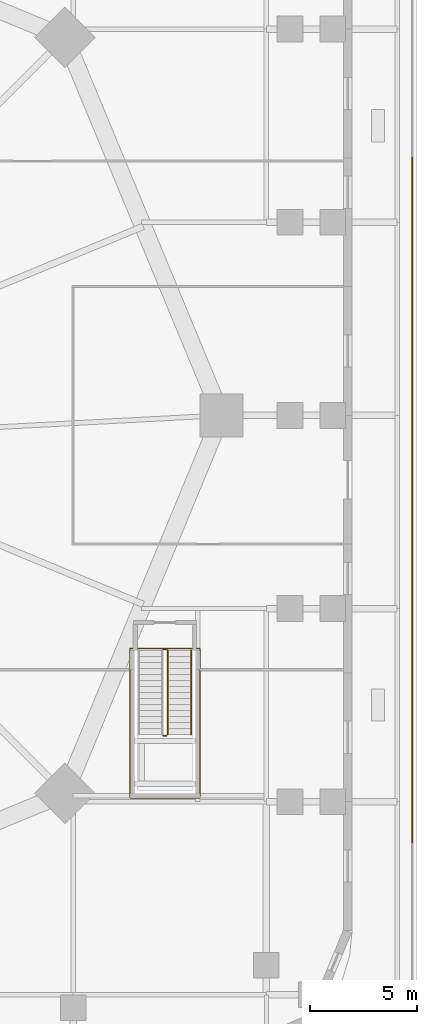
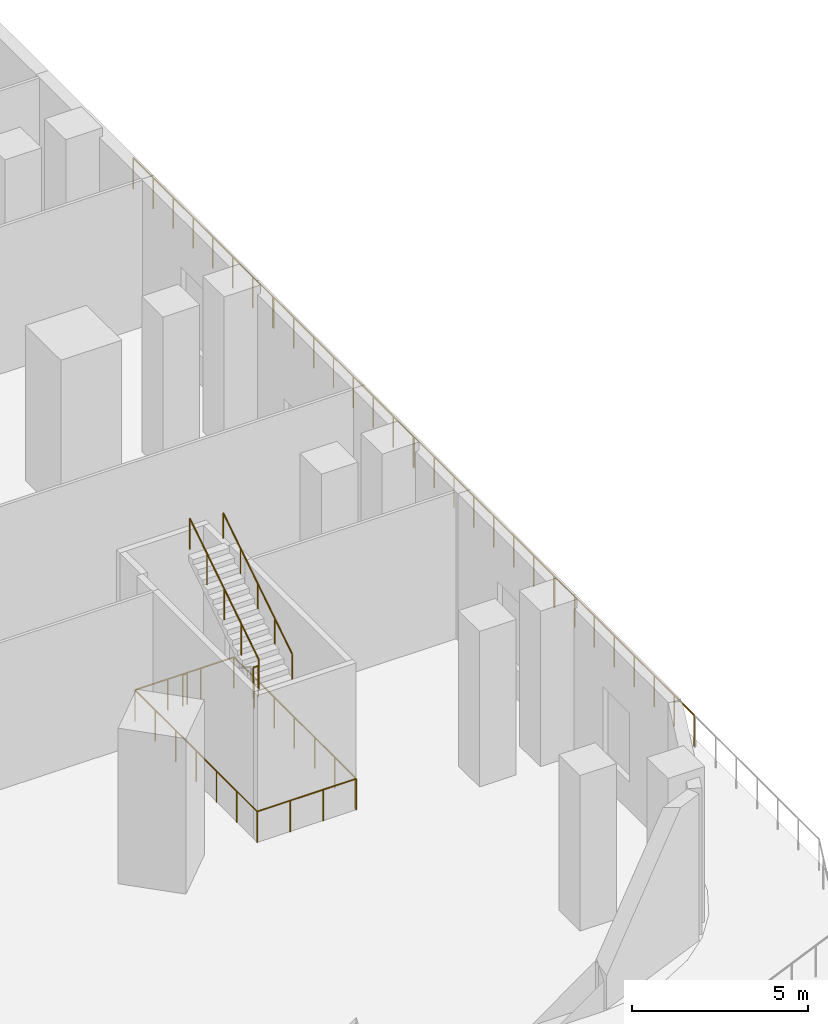
# One storey, part 17 of 19: 9 railings.
"""IFC4 building model written with IfcOpenShell, lengths in metres."""

from ifc_helpers import new_model, si_unit, direction, frame, origin, origin_2d, place, context, subcontext, project, spatial, circle, extrude, material, type_object, element, save


model = new_model("IFC4")

# Units and contexts
model_context = context("Model", 3, precision=1e-05, world=origin(), true_north=direction((0.0, 1.0)))
body_context = subcontext(model_context, "Body", "Model", "MODEL_VIEW")
ifc_project = project(units=[si_unit("LENGTHUNIT", "METRE"), si_unit("AREAUNIT", "SQUARE_METRE"), si_unit("VOLUMEUNIT", "CUBIC_METRE"), si_unit("PLANEANGLEUNIT", "RADIAN"), si_unit("MASSUNIT", "GRAM", prefix="KILO")], contexts=[model_context])

# Site, building, storey
site_placement = place(None, origin())
site = spatial("IfcSite", under=ifc_project, at=site_placement, CompositionType="ELEMENT")
building_placement = place(site_placement, origin())
building = spatial("IfcBuilding", under=site, at=building_placement, Name="Ogive Gate Towers", CompositionType="ELEMENT")
storey_placement = place(building_placement, frame((0.0, 0.0, 12.60009765625)))
storey = spatial("IfcBuildingStorey", under=building, at=storey_placement, Name="L02", CompositionType="ELEMENT", Elevation=12.60009765625)

# Railings
ifc_material_1 = material(Name="Stainless steel", Category="steel")
railing_type_1 = type_object("IfcRailingType", Name="Guard 1100", PredefinedType="GUARDRAIL", material=ifc_material_1)
for number, where, name in (
    (1, (69.800048828125, -19.897705078125, 0.0), "Terrace guard"),
    (2, (69.800048828125, -11.907470703125, 0.0), "Terrace guard"),
):
    element("IfcRailing", number, at=place(storey_placement, frame(where)), inside=storey, type_object=railing_type_1, Name=name, PredefinedType="GUARDRAIL", context=body_context, shape_type="SweptSolid", body=[
        extrude(circle(Radius=0.02392578125, at=origin_2d()), frame((0.0, 0.0, 1.076171875), z_axis=(0.0, 1.0, 0.0), x_axis=(-1.0, 0.0, 0.0)), (0.0, 0.0, 1.0), 7.940185546875),
        extrude(circle(Radius=0.02099609375, at=origin_2d()), origin(), (0.0, 0.0, 1.0), 1.052001953125),
        extrude(circle(Radius=0.02099609375, at=origin_2d()), frame((0.0, 1.13427734375, 0.0)), (0.0, 0.0, 1.0), 1.052001953125),
        extrude(circle(Radius=0.02099609375, at=origin_2d()), frame((0.0, 2.2685546875, 0.0)), (0.0, 0.0, 1.0), 1.052001953125),
        extrude(circle(Radius=0.02099609375, at=origin_2d()), frame((0.0, 3.40283203125, 0.0)), (0.0, 0.0, 1.0), 1.052001953125),
        extrude(circle(Radius=0.02099609375, at=origin_2d()), frame((0.0, 4.537353515625, 0.0)), (0.0, 0.0, 1.0), 1.052001953125),
        extrude(circle(Radius=0.02099609375, at=origin_2d()), frame((0.0, 5.671630859375, 0.0)), (0.0, 0.0, 1.0), 1.052001953125),
        extrude(circle(Radius=0.02099609375, at=origin_2d()), frame((0.0, 6.805908203125, 0.0)), (0.0, 0.0, 1.0), 1.052001953125),
        extrude(circle(Radius=0.02099609375, at=origin_2d()), frame((0.0, 7.940185546875, 0.0)), (0.0, 0.0, 1.0), 1.052001953125),
    ])
railing_1_placement = place(storey_placement, frame((69.800048828125, -3.917236328125, 0.0)))
element("IfcRailing", 3, at=railing_1_placement, inside=storey, type_object=railing_type_1, Name="Terrace guard", PredefinedType="GUARDRAIL", context=body_context, shape_type="SweptSolid", body=[
    extrude(circle(Radius=0.02392578125, at=origin_2d()), frame((0.0, 0.0, 1.076171875), z_axis=(0.0, 1.0, 0.0), x_axis=(-1.0, 0.0, 0.0)), (0.0, 0.0, 1.0), 7.9404296875),
    extrude(circle(Radius=0.02099609375, at=origin_2d()), origin(), (0.0, 0.0, 1.0), 1.052001953125),
    extrude(circle(Radius=0.02099609375, at=origin_2d()), frame((0.0, 1.13427734375, 0.0)), (0.0, 0.0, 1.0), 1.052001953125),
    extrude(circle(Radius=0.02099609375, at=origin_2d()), frame((0.0, 2.268798828125, 0.0)), (0.0, 0.0, 1.0), 1.052001953125),
    extrude(circle(Radius=0.02099609375, at=origin_2d()), frame((0.0, 3.403076171875, 0.0)), (0.0, 0.0, 1.0), 1.052001953125),
    extrude(circle(Radius=0.02099609375, at=origin_2d()), frame((0.0, 4.537353515625, 0.0)), (0.0, 0.0, 1.0), 1.052001953125),
    extrude(circle(Radius=0.02099609375, at=origin_2d()), frame((0.0, 5.671630859375, 0.0)), (0.0, 0.0, 1.0), 1.052001953125),
    extrude(circle(Radius=0.02099609375, at=origin_2d()), frame((0.0, 6.80615234375, 0.0)), (0.0, 0.0, 1.0), 1.052001953125),
    extrude(circle(Radius=0.02099609375, at=origin_2d()), frame((0.0, 7.9404296875, 0.0)), (0.0, 0.0, 1.0), 1.052001953125),
])
railing_2_placement = place(storey_placement, frame((69.800048828125, 4.072998046875, 0.0)))
element("IfcRailing", 4, at=railing_2_placement, inside=storey, type_object=railing_type_1, Name="Terrace guard", PredefinedType="GUARDRAIL", context=body_context, shape_type="SweptSolid", body=[
    extrude(circle(Radius=0.02392578125, at=origin_2d()), frame((0.0, 0.0, 1.076171875), z_axis=(0.0, 1.0, 0.0), x_axis=(-1.0, 0.0, 0.0)), (0.0, 0.0, 1.0), 7.940185546875),
    extrude(circle(Radius=0.02099609375, at=origin_2d()), origin(), (0.0, 0.0, 1.0), 1.052001953125),
    extrude(circle(Radius=0.02099609375, at=origin_2d()), frame((0.0, 1.13427734375, 0.0)), (0.0, 0.0, 1.0), 1.052001953125),
    extrude(circle(Radius=0.02099609375, at=origin_2d()), frame((0.0, 2.2685546875, 0.0)), (0.0, 0.0, 1.0), 1.052001953125),
    extrude(circle(Radius=0.02099609375, at=origin_2d()), frame((0.0, 3.40283203125, 0.0)), (0.0, 0.0, 1.0), 1.052001953125),
    extrude(circle(Radius=0.02099609375, at=origin_2d()), frame((0.0, 4.537353515625, 0.0)), (0.0, 0.0, 1.0), 1.052001953125),
    extrude(circle(Radius=0.02099609375, at=origin_2d()), frame((0.0, 5.671630859375, 0.0)), (0.0, 0.0, 1.0), 1.052001953125),
    extrude(circle(Radius=0.02099609375, at=origin_2d()), frame((0.0, 6.805908203125, 0.0)), (0.0, 0.0, 1.0), 1.052001953125),
    extrude(circle(Radius=0.02099609375, at=origin_2d()), frame((0.0, 7.940185546875, 0.0)), (0.0, 0.0, 1.0), 1.052001953125),
])
ifc_material_2 = material(Name="Steel and glass guard", Category="steel")
railing_type_2 = type_object("IfcRailingType", Name="Podium stair guard 1100", PredefinedType="GUARDRAIL", material=ifc_material_2)
railing_3_placement = place(storey_placement, frame((58.199951171875, -14.919921875, 2.699951171875)))
element("IfcRailing", 5, at=railing_3_placement, inside=storey, type_object=railing_type_2, Name="L02 PS2 stair guard 2", PredefinedType="GUARDRAIL", context=body_context, shape_type="SweptSolid", body=[
    extrude(circle(Radius=0.02392578125, at=origin_2d()), frame((0.0, 0.0, 1.076171875), z_axis=(1.0, 0.0, 0.0), x_axis=(0.0, 1.0, 0.0)), (0.0, 0.0, 1.0), 0.150146484375),
    extrude(circle(Radius=0.02099609375, at=origin_2d()), origin(), (0.0, 0.0, 1.0), 1.052001953125),
    extrude(circle(Radius=0.02099609375, at=origin_2d()), frame((0.150146484375, 0.0, 0.0)), (0.0, 0.0, 1.0), 1.052001953125),
])
railing_4_placement = place(storey_placement, frame((58.39990234375, -14.8701171875, 2.8798828125)))
element("IfcRailing", 6, at=railing_4_placement, inside=storey, type_object=railing_type_2, Name="L02 PS2 stair guard 3", PredefinedType="GUARDRAIL", context=body_context, shape_type="SweptSolid", body=[
    extrude(circle(Radius=0.02392578125, at=origin_2d()), frame((0.0, 0.0, 1.076171875), z_axis=(0.0, 0.841186985886, 0.540744352514), x_axis=(-1.0, 0.0, 0.0)), (0.0, 0.0, 1.0), 4.660400390625),
    extrude(circle(Radius=0.02099609375, at=origin_2d()), origin(), (0.0, 0.0, 1.0), 1.052001953125),
    extrude(circle(Radius=0.02099609375, at=origin_2d()), frame((0.0, 0.97998046875, 0.6298828125)), (0.0, 0.0, 1.0), 1.052001953125),
    extrude(circle(Radius=0.02099609375, at=origin_2d()), frame((0.0, 1.9599609375, 1.260009765625)), (0.0, 0.0, 1.0), 1.052001953125),
    extrude(circle(Radius=0.02099609375, at=origin_2d()), frame((0.0, 2.940185546875, 1.89013671875)), (0.0, 0.0, 1.0), 1.052001953125),
    extrude(circle(Radius=0.02099609375, at=origin_2d()), frame((0.0, 3.920166015625, 2.52001953125)), (0.0, 0.0, 1.0), 1.052001953125),
])
railing_5_placement = place(storey_placement, frame((58.199951171875, -10.89990234375, 0.0)))
element("IfcRailing", 7, at=railing_5_placement, inside=storey, type_object=railing_type_2, Name="L02 PS2 stair guard 4", PredefinedType="GUARDRAIL", context=body_context, shape_type="SweptSolid", body=[
    extrude(circle(Radius=0.02392578125, at=origin_2d()), frame((0.0, 0.0, 1.076171875), z_axis=(1.0, 0.0, 0.0), x_axis=(0.0, 1.0, 0.0)), (0.0, 0.0, 1.0), 0.150146484375),
    extrude(circle(Radius=0.02099609375, at=origin_2d()), origin(), (0.0, 0.0, 1.0), 1.052001953125),
    extrude(circle(Radius=0.02099609375, at=origin_2d()), frame((0.150146484375, 0.0, 0.0)), (0.0, 0.0, 1.0), 1.052001953125),
])
ifc_material_3 = material(Name="Stainless steel handrail", Category="steel")
railing_type_3 = type_object("IfcRailingType", Name="Podium stair handrail 900", PredefinedType="HANDRAIL", material=ifc_material_3)
railing_6_placement = place(storey_placement, frame((59.5, -14.8701171875, 2.8798828125)))
element("IfcRailing", 8, at=railing_6_placement, inside=storey, type_object=railing_type_3, Name="L02 PS2 stair handrail 2", PredefinedType="HANDRAIL", context=body_context, shape_type="SweptSolid", body=[
    extrude(circle(Radius=0.02392578125, at=origin_2d()), frame((0.0, 0.0, 0.8759765625), z_axis=(0.0, 0.841186985886, 0.540744352514), x_axis=(-1.0, 0.0, 0.0)), (0.0, 0.0, 1.0), 4.660400390625),
    extrude(circle(Radius=0.02099609375, at=origin_2d()), origin(), (0.0, 0.0, 1.0), 0.851806640625),
    extrude(circle(Radius=0.02099609375, at=origin_2d()), frame((0.0, 0.97998046875, 0.6298828125)), (0.0, 0.0, 1.0), 0.851806640625),
    extrude(circle(Radius=0.02099609375, at=origin_2d()), frame((0.0, 1.9599609375, 1.260009765625)), (0.0, 0.0, 1.0), 0.851806640625),
    extrude(circle(Radius=0.02099609375, at=origin_2d()), frame((0.0, 2.940185546875, 1.89013671875)), (0.0, 0.0, 1.0), 0.851806640625),
    extrude(circle(Radius=0.02099609375, at=origin_2d()), frame((0.0, 3.920166015625, 2.52001953125)), (0.0, 0.0, 1.0), 0.851806640625),
])
railing_type_4 = type_object("IfcRailingType", Name="Void guard 1100", PredefinedType="GUARDRAIL", material=ifc_material_2)
railing_7_placement = place(storey_placement, frame((59.89990234375, -17.820068359375, 0.0)))
element("IfcRailing", 9, at=railing_7_placement, inside=storey, type_object=railing_type_4, Name="L02 nave guard", PredefinedType="GUARDRAIL", context=body_context, shape_type="SweptSolid", body=[
    extrude(circle(Radius=0.02392578125, at=origin_2d()), frame((0.0, 0.0, 1.076171875), z_axis=(-1.0, 0.0, 0.0), x_axis=(0.0, -1.0, 0.0)), (0.0, 0.0, 1.0), 3.25),
    extrude(circle(Radius=0.02392578125, at=origin_2d()), frame((-3.25, 0.0, 1.076171875), z_axis=(0.0, 1.0, 0.0), x_axis=(-1.0, 0.0, 0.0)), (0.0, 0.0, 1.0), 6.955078125),
    extrude(circle(Radius=0.02392578125, at=origin_2d()), frame((-3.25, 6.955078125, 1.076171875), z_axis=(1.0, 0.0, 0.0), x_axis=(0.0, 1.0, 0.0)), (0.0, 0.0, 1.0), 3.25),
    extrude(circle(Radius=0.02392578125, at=origin_2d()), frame((0.0, 6.955078125, 1.076171875), z_axis=(0.0, -1.0, 0.0), x_axis=(1.0, 0.0, 0.0)), (0.0, 0.0, 1.0), 6.885009765625),
    extrude(circle(Radius=0.02099609375, at=origin_2d()), origin(), (0.0, 0.0, 1.0), 1.052001953125),
    extrude(circle(Radius=0.02099609375, at=origin_2d()), frame((-1.083251953125, 0.0, 0.0)), (0.0, 0.0, 1.0), 1.052001953125),
    extrude(circle(Radius=0.02099609375, at=origin_2d()), frame((-2.166748046875, 0.0, 0.0)), (0.0, 0.0, 1.0), 1.052001953125),
    extrude(circle(Radius=0.02099609375, at=origin_2d()), frame((-3.25, 0.0, 0.0)), (0.0, 0.0, 1.0), 1.052001953125),
    extrude(circle(Radius=0.02099609375, at=origin_2d()), frame((-3.25, 1.1591796875, 0.0)), (0.0, 0.0, 1.0), 1.052001953125),
    extrude(circle(Radius=0.02099609375, at=origin_2d()), frame((-3.25, 2.318359375, 0.0)), (0.0, 0.0, 1.0), 1.052001953125),
    extrude(circle(Radius=0.02099609375, at=origin_2d()), frame((-3.25, 3.4775390625, 0.0)), (0.0, 0.0, 1.0), 1.052001953125),
    extrude(circle(Radius=0.02099609375, at=origin_2d()), frame((-3.25, 4.63671875, 0.0)), (0.0, 0.0, 1.0), 1.052001953125),
    extrude(circle(Radius=0.02099609375, at=origin_2d()), frame((-3.25, 5.7958984375, 0.0)), (0.0, 0.0, 1.0), 1.052001953125),
    extrude(circle(Radius=0.02099609375, at=origin_2d()), frame((-3.25, 6.955078125, 0.0)), (0.0, 0.0, 1.0), 1.052001953125),
    extrude(circle(Radius=0.02099609375, at=origin_2d()), frame((-2.166748046875, 6.955078125, 0.0)), (0.0, 0.0, 1.0), 1.052001953125),
    extrude(circle(Radius=0.02099609375, at=origin_2d()), frame((-1.083251953125, 6.955078125, 0.0)), (0.0, 0.0, 1.0), 1.052001953125),
    extrude(circle(Radius=0.02099609375, at=origin_2d()), frame((0.0, 6.955078125, 0.0)), (0.0, 0.0, 1.0), 1.052001953125),
    extrude(circle(Radius=0.02099609375, at=origin_2d()), frame((0.0, 5.8076171875, 0.0)), (0.0, 0.0, 1.0), 1.052001953125),
    extrude(circle(Radius=0.02099609375, at=origin_2d()), frame((0.0, 4.66015625, 0.0)), (0.0, 0.0, 1.0), 1.052001953125),
    extrude(circle(Radius=0.02099609375, at=origin_2d()), frame((0.0, 3.5126953125, 0.0)), (0.0, 0.0, 1.0), 1.052001953125),
    extrude(circle(Radius=0.02099609375, at=origin_2d()), frame((0.0, 2.364990234375, 0.0)), (0.0, 0.0, 1.0), 1.052001953125),
    extrude(circle(Radius=0.02099609375, at=origin_2d()), frame((0.0, 1.217529296875, 0.0)), (0.0, 0.0, 1.0), 1.052001953125),
    extrude(circle(Radius=0.02099609375, at=origin_2d()), frame((0.0, 0.070068359375, 0.0)), (0.0, 0.0, 1.0), 1.052001953125),
])

save(model, "model.ifc")
